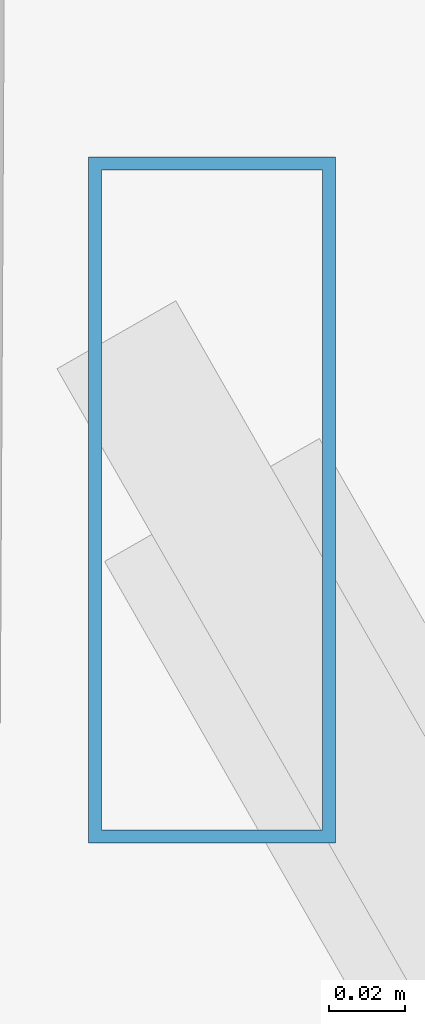
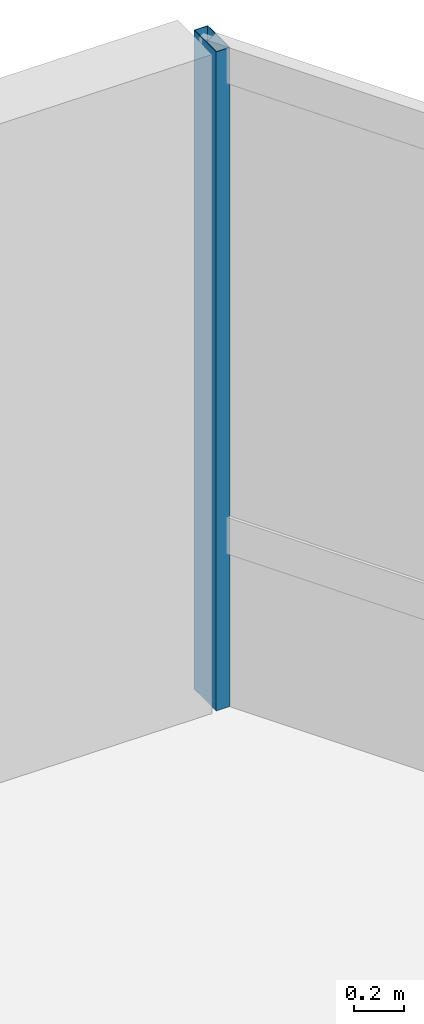
# One storey, part 29 of 39: 1 member, 1 element without a shape of its own.
"""IFC4 building model written with IfcOpenShell, lengths in metres."""

import ifcopenshell
import ifcopenshell.guid

model = None  # the IFC model being written
_history = None  # IfcOwnerHistory: only IFC2X3 demands one
_inside = {}  # id of a spatial element -> (the spatial element, [elements in it])
_under = {}  # id of a project, library or spatial element -> (it, [spatial elements below it])
_declared = {}  # id of a project -> (the project, [libraries it declares])
_typed = {}  # id of a type object -> (the type object, [elements of that type])
_made_of = {}  # id of a material, layer set ... -> (it, [elements and type objects made of it])


def new_model(schema):
    """Start an empty IFC model of exactly this schema.

    Asked for "IFC4X3", IfcOpenShell would pick the latest addendum, in which some entities
    have other attributes; the version numbers below select the first issue.
    IFC2X3 requires an IfcOwnerHistory on every rooted entity: one is made here for all.
    """
    global model, _history
    if schema == "IFC4X3":
        model = ifcopenshell.file(schema_version=(4, 3, 0, 0))
    else:
        model = ifcopenshell.file(schema=schema)
    _inside.clear()
    _under.clear()
    _declared.clear()
    _typed.clear()
    _made_of.clear()
    _history = None
    if model.schema == "IFC2X3":
        org = make("IfcOrganization", Name="unknown")
        user = make(
            "IfcPersonAndOrganization",
            ThePerson=make("IfcPerson", FamilyName="unknown"),
            TheOrganization=org,
        )
        app = make(
            "IfcApplication",
            ApplicationDeveloper=org,
            Version="unknown",
            ApplicationFullName="unknown",
            ApplicationIdentifier="unknown",
        )
        _history = make(
            "IfcOwnerHistory",
            OwningUser=user,
            OwningApplication=app,
            ChangeAction="ADDED",
            CreationDate=0,
        )
    return model


def make(cls, **values):
    """One entity of the class cls with the attributes given. An attribute that is None is left unset."""
    return model.create_entity(
        cls, **{name: value for name, value in values.items() if value is not None}
    )


def rooted(cls, **values):
    """An entity with a GlobalId (a new one), such as an element, a storey or a relation."""
    return make(cls, GlobalId=ifcopenshell.guid.new(), OwnerHistory=_history, **values)


def si_unit(unit_type, name, prefix=None):
    """IfcSIUnit, for example si_unit("LENGTHUNIT", "METRE", prefix="MILLI")."""
    return make("IfcSIUnit", UnitType=unit_type, Prefix=prefix, Name=name)


def assignment(units):
    """IfcUnitAssignment: the units of a project."""
    return None if units is None else make("IfcUnitAssignment", Units=units)


def point(xyz):
    """IfcCartesianPoint."""
    return None if xyz is None else make("IfcCartesianPoint", Coordinates=xyz)


def direction(xyz):
    """IfcDirection."""
    return None if xyz is None else make("IfcDirection", DirectionRatios=xyz)


def frame(location, z_axis=None, x_axis=None):
    """IfcAxis2Placement3D, a coordinate frame: its origin and axes. An axis left out is left unset."""
    return make(
        "IfcAxis2Placement3D",
        Location=point(location),
        Axis=direction(z_axis),
        RefDirection=direction(x_axis),
    )


def frame_2d(location, x_axis=None):
    """IfcAxis2Placement2D, a coordinate frame in the plane: its origin and x axis."""
    return make(
        "IfcAxis2Placement2D", Location=point(location), RefDirection=direction(x_axis)
    )


def origin():
    """The frame at (0, 0, 0) with its axes left unset."""
    return frame((0.0, 0.0, 0.0))


def origin_2d():
    """The frame at (0, 0) in the plane with its x axis left unset."""
    return frame_2d((0.0, 0.0))


def place(relative_to, where):
    """IfcLocalPlacement: puts the frame where relative to a parent placement (None: the world)."""
    return make(
        "IfcLocalPlacement", PlacementRelTo=relative_to, RelativePlacement=where
    )


def context(
    kind, dimensions, precision=None, world=None, true_north=None, identifier=None
):
    """IfcGeometricRepresentationContext, for example the 3D "Model" context."""
    return make(
        "IfcGeometricRepresentationContext",
        ContextIdentifier=identifier,
        ContextType=kind,
        CoordinateSpaceDimension=dimensions,
        Precision=precision,
        WorldCoordinateSystem=world,
        TrueNorth=true_north,
    )


def subcontext(parent, identifier, kind, view, scale=None):
    """IfcGeometricRepresentationSubContext, for example "Body" below "Model"."""
    return make(
        "IfcGeometricRepresentationSubContext",
        ContextIdentifier=identifier,
        ContextType=kind,
        ParentContext=parent,
        TargetScale=scale,
        TargetView=view,
    )


def project(units=None, contexts=None):
    """IfcProject with its units and contexts."""
    return rooted(
        "IfcProject",
        Name="project",
        RepresentationContexts=contexts,
        UnitsInContext=assignment(units),
    )


def spatial(cls, under=None, at=None, **own):
    """A site, building, storey or space (cls), placed at a placement, below another one or the project."""
    s = rooted(cls, ObjectPlacement=at, **own)
    if under is not None:
        _under.setdefault(under.id(), (under, []))[1].append(s)
    return s


def profile(cls, at=None, kind="AREA", **sizes):
    """A parametric profile (cls). Its sizes go by their IFC names, for example OverallWidth=200.0."""
    return make(cls, ProfileType=kind, Position=at, **sizes)


def hollow_rectangle(**sizes):
    """IfcRectangleHollowProfileDef."""
    return profile("IfcRectangleHollowProfileDef", **sizes)


def extrude(swept, where, along, depth):
    """IfcExtrudedAreaSolid: the profile swept, set in the frame where, extruded along a direction by depth."""
    return make(
        "IfcExtrudedAreaSolid",
        SweptArea=swept,
        Position=where,
        ExtrudedDirection=direction(along),
        Depth=depth,
    )


def shape(context_of_items, identifier, shape_type, items):
    """IfcShapeRepresentation: the items that make up one representation, for example the "Body"."""
    return make(
        "IfcShapeRepresentation",
        ContextOfItems=context_of_items,
        RepresentationIdentifier=identifier,
        RepresentationType=shape_type,
        Items=items,
    )


def source(mapping_origin, context_of_items, identifier, shape_type, items):
    """IfcRepresentationMap: a shape defined once, which mapped items show again and again."""
    return make(
        "IfcRepresentationMap",
        MappingOrigin=mapping_origin,
        MappedRepresentation=shape(context_of_items, identifier, shape_type, items),
    )


def transform(
    local_origin,
    x_axis=None,
    y_axis=None,
    z_axis=None,
    scale=None,
    scale2=None,
    scale3=None,
    uniform=True,
):
    """IfcCartesianTransformationOperator3D, or its non-uniform kind. x_axis, y_axis, z_axis: its Axis1, 2, 3."""
    if uniform:
        return make(
            "IfcCartesianTransformationOperator3D",
            Axis1=direction(x_axis),
            Axis2=direction(y_axis),
            LocalOrigin=point(local_origin),
            Scale=scale,
            Axis3=direction(z_axis),
        )
    return make(
        "IfcCartesianTransformationOperator3DnonUniform",
        Axis1=direction(x_axis),
        Axis2=direction(y_axis),
        LocalOrigin=point(local_origin),
        Scale=scale,
        Axis3=direction(z_axis),
        Scale2=scale2,
        Scale3=scale3,
    )


def mapped(mapping_source, mapping_target):
    """IfcMappedItem: shows the shape of a source again, moved by a transform."""
    return make(
        "IfcMappedItem", MappingSource=mapping_source, MappingTarget=mapping_target
    )


def material(Name=None, Category=None):
    """IfcMaterial."""
    return make("IfcMaterial", Name=Name, Category=Category)


def material_profile(
    of_material, cross_section, Name=None, Category=None, Priority=None
):
    """IfcMaterialProfile: a cross section and its material."""
    return make(
        "IfcMaterialProfile",
        Name=Name,
        Material=of_material,
        Profile=cross_section,
        Priority=Priority,
        Category=Category,
    )


def profile_set(profiles, Name=None, composite=None):
    """IfcMaterialProfileSet."""
    return make(
        "IfcMaterialProfileSet",
        Name=Name,
        MaterialProfiles=profiles,
        CompositeProfile=composite,
    )


def made_of(thing, what):
    """Note that an element or type object is made of a material, layer set ...; save() writes the relation."""
    if what is not None:
        _made_of.setdefault(what.id(), (what, []))[1].append(thing)
    return thing


def type_object(cls, material=None, **own):
    """A type object (cls), such as IfcWallType, which elements share."""
    return made_of(rooted(cls, **own), material)


def type_shapes(of_type, sources):
    """Give a type object the sources (RepresentationMaps) that its elements show as mapped items."""
    of_type.RepresentationMaps = sources


def element(
    cls,
    number,
    at=None,
    inside=None,
    cuts=None,
    type_object=None,
    material=None,
    context=None,
    identifier="Body",
    shape_type=None,
    held_by="IfcProductDefinitionShape",
    body=None,
    shapes=None,
    **own,
):
    """One element of the class cls, such as IfcWall. Its Tag is "e" and its number.

    at: its placement. inside: the storey or other place that contains it. cuts: it is an
    opening in that element (IfcRelVoidsElement). A single representation is given by context,
    identifier, shape_type and body (its items); several are given by shapes. held_by: the class
    of the entity that holds the representations. save() writes the other relations.
    """
    e = rooted(cls, Tag="e%d" % number, ObjectPlacement=at, **own)
    if body is not None:
        shapes = [shape(context, identifier, shape_type, body)]
    if shapes is not None:
        e.Representation = make(held_by, Representations=shapes)
    if inside is not None:
        _inside.setdefault(inside.id(), (inside, []))[1].append(e)
    if cuts is not None:
        rooted(
            "IfcRelVoidsElement", RelatingBuildingElement=cuts, RelatedOpeningElement=e
        )
    if type_object is not None:
        _typed.setdefault(type_object.id(), (type_object, []))[1].append(e)
    return made_of(e, material)


def aggregate(whole, parts):
    """IfcRelAggregates: a whole, such as a stair, and the parts it consists of."""
    return rooted("IfcRelAggregates", RelatingObject=whole, RelatedObjects=parts)


def save(model, path):
    """Write the relations noted so far, then the file.

    IfcRelAggregates (storeys below a building ...), IfcRelContainedInSpatialStructure (elements
    in a storey), IfcRelDefinesByType, IfcRelAssociatesMaterial and IfcRelDeclares: one each for
    every whole, place, type object, material and project.
    """
    for whole, parts in _under.values():
        aggregate(whole, parts)
    for where, things in _inside.values():
        rooted(
            "IfcRelContainedInSpatialStructure",
            RelatedElements=things,
            RelatingStructure=where,
        )
    for kind, things in _typed.values():
        rooted("IfcRelDefinesByType", RelatedObjects=things, RelatingType=kind)
    for what, things in _made_of.values():
        rooted("IfcRelAssociatesMaterial", RelatedObjects=things, RelatingMaterial=what)
    for by, libraries in _declared.values():
        rooted("IfcRelDeclares", RelatingContext=by, RelatedDefinitions=libraries)
    model.write(path)


model = new_model("IFC4")

# Units and contexts
model_context = context("Model", 3, precision=1e-05, world=origin(), true_north=direction((0.0, 1.0)))
body_context = subcontext(model_context, "Body", "Model", "MODEL_VIEW")
ifc_project = project(units=[si_unit("LENGTHUNIT", "METRE"), si_unit("AREAUNIT", "SQUARE_METRE"), si_unit("VOLUMEUNIT", "CUBIC_METRE"), si_unit("PLANEANGLEUNIT", "RADIAN"), si_unit("MASSUNIT", "GRAM", prefix="KILO")], contexts=[model_context])

# Site, building, storey
site_placement = place(None, origin())
site = spatial("IfcSite", under=ifc_project, at=site_placement, CompositionType="ELEMENT")
building_placement = place(site_placement, origin())
building = spatial("IfcBuilding", under=site, at=building_placement, Name="Caelisora Broadcast Tower", CompositionType="ELEMENT")
storey_placement = place(building_placement, frame((0.0, 0.0, 71.39990234375)))
storey = spatial("IfcBuildingStorey", under=building, at=storey_placement, Name="L18", CompositionType="ELEMENT", Elevation=71.39990234375)

# Curtain wall, member
ifc_material_1 = material(Name="Unitised Aluminium and Low-E Glass Curtain Wall", Category="glass")
curtain_wall_type = type_object("IfcCurtainWallType", Name="CW-Z1", PredefinedType="NOTDEFINED", material=ifc_material_1)
curtain_wall_placement = place(storey_placement, origin())
curtain_wall = element("IfcCurtainWall", 1, at=curtain_wall_placement, inside=storey, type_object=curtain_wall_type, Name="L18 curtain wall CW-Z1", PredefinedType="NOTDEFINED")
ifc_material_2 = material(Name="Aluminium 6063-T6 Anodised Terracotta Bronze", Category="aluminium")
ifc_material_profile = material_profile(ifc_material_2, hollow_rectangle(XDim=0.06494140625, YDim=0.179931640625, WallThickness=0.00341796875, at=origin_2d()), Name="Aluminium 6063-T6 Anodised Terracotta Bronze")
ifc_profile_set = profile_set([ifc_material_profile], Name="Aluminium 6063-T6 Anodised Terracotta Bronze")
member_type = type_object("IfcMemberType", Name="CWM-02", PredefinedType="MULLION", material=ifc_profile_set)
shared_shape = source(origin(), body_context, "Body", "SweptSolid", [
    extrude(hollow_rectangle(XDim=0.06494140625, YDim=0.179931640625, WallThickness=0.00341796875, at=origin_2d()), origin(), (0.0, 0.0, 1.0), 3.25),
])
type_shapes(member_type, [shared_shape])
member_placement = place(storey_placement, frame((44.682861328125, 51.295654296875, 0.0), z_axis=(0.0, 0.0, 1.0), x_axis=(1.0, 0.0, 0.0)))
member = element("IfcMember", 2, at=member_placement, type_object=member_type, Name="L18-CW-B01 mullion #0", PredefinedType="MULLION", context=body_context, shape_type="MappedRepresentation", body=[
    mapped(shared_shape, transform((0.0, 0.0, 0.0), scale=1.0)),
])
aggregate(curtain_wall, [member])

save(model, "model.ifc")
